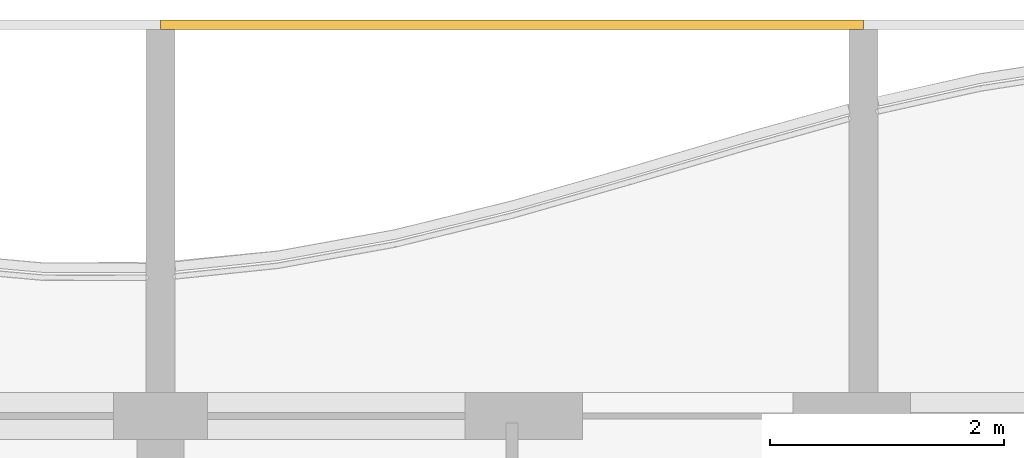
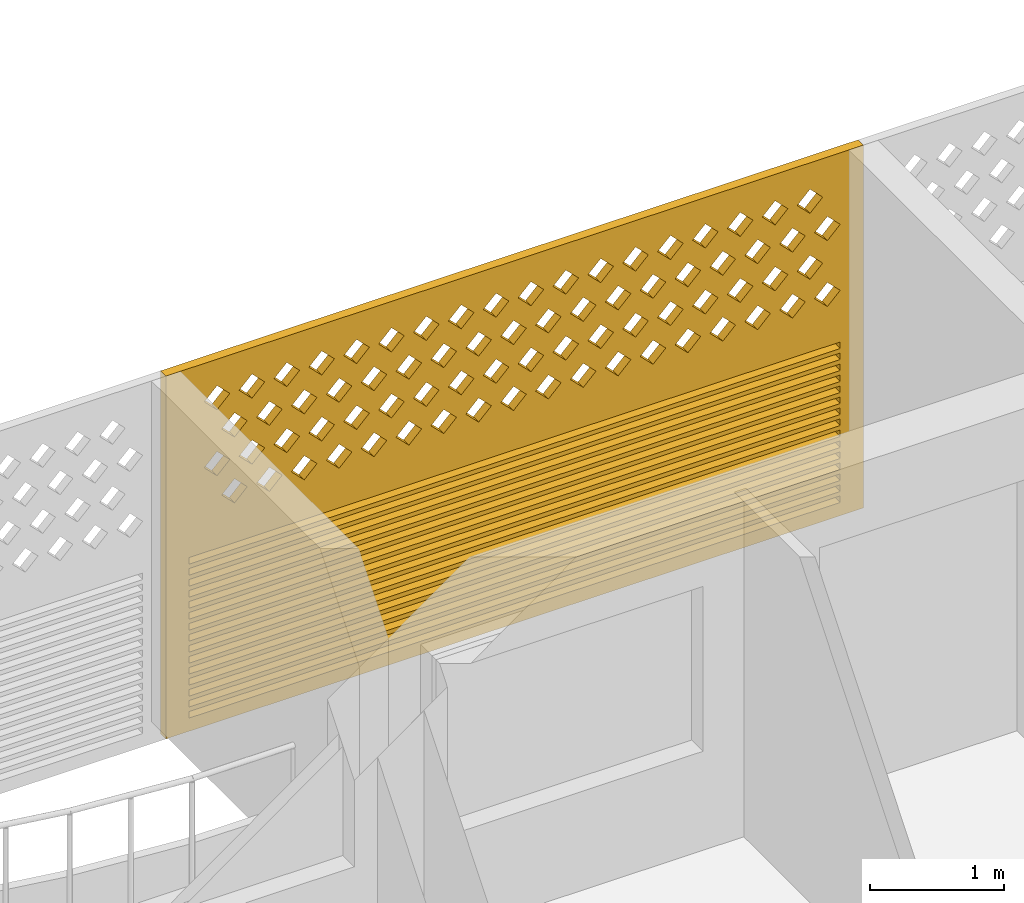
# One storey, part 36 of 40: 1 covering.
"""IFC4 building model written with IfcOpenShell, lengths in metres."""

from ifc_helpers import new_model, si_unit, direction, frame, origin, place, context, subcontext, project, spatial, polyline, outline, extrude, source, transform, mapped, material, material_profile, profile_set, type_object, element, save


model = new_model("IFC4")

# Units and contexts
model_context = context("Model", 3, precision=1e-05, world=origin(), true_north=direction((0.0, 1.0)))
body_context = subcontext(model_context, "Body", "Model", "MODEL_VIEW")
ifc_project = project(units=[si_unit("LENGTHUNIT", "METRE"), si_unit("AREAUNIT", "SQUARE_METRE"), si_unit("VOLUMEUNIT", "CUBIC_METRE"), si_unit("PLANEANGLEUNIT", "RADIAN"), si_unit("MASSUNIT", "GRAM", prefix="KILO")], contexts=[model_context])

# Site, building, storey
site_placement = place(None, origin())
site = spatial("IfcSite", under=ifc_project, at=site_placement, CompositionType="ELEMENT")
building_placement = place(site_placement, origin())
building = spatial("IfcBuilding", under=site, at=building_placement, Name="Poui Terraces", CompositionType="ELEMENT")
storey_placement = place(building_placement, frame((0.0, 0.0, 36.60009765625)))
storey = spatial("IfcBuildingStorey", under=building, at=storey_placement, Name="L09", CompositionType="ELEMENT", Elevation=36.60009765625)

# Covering
ifc_material = material(Name="Terracotta screen", Category="masonry")
ifc_material_profile = material_profile(ifc_material, outline(polyline([(-3.0, -1.64990234375), (3.0, -1.64990234375), (3.0, 1.64990234375), (-3.0, 1.64990234375), (-3.0, -1.64990234375)]), holes=[polyline([(-2.800048828125, 0.39990234375), (-2.68994140625, 0.2900390625), (-2.580078125, 0.39990234375), (-2.68994140625, 0.510009765625), (-2.800048828125, 0.39990234375)]), polyline([(-2.5, 0.39990234375), (-2.389892578125, 0.2900390625), (-2.280029296875, 0.39990234375), (-2.389892578125, 0.510009765625), (-2.5, 0.39990234375)]), polyline([(-2.199951171875, 0.39990234375), (-2.090087890625, 0.2900390625), (-1.97998046875, 0.39990234375), (-2.090087890625, 0.510009765625), (-2.199951171875, 0.39990234375)]), polyline([(-1.89990234375, 0.39990234375), (-1.7900390625, 0.2900390625), (-1.679931640625, 0.39990234375), (-1.7900390625, 0.510009765625), (-1.89990234375, 0.39990234375)]), polyline([(-1.60009765625, 0.39990234375), (-1.489990234375, 0.2900390625), (-1.3798828125, 0.39990234375), (-1.489990234375, 0.510009765625), (-1.60009765625, 0.39990234375)]), polyline([(-1.300048828125, 0.39990234375), (-1.18994140625, 0.2900390625), (-1.080078125, 0.39990234375), (-1.18994140625, 0.510009765625), (-1.300048828125, 0.39990234375)]), polyline([(-1.0, 0.39990234375), (-0.889892578125, 0.2900390625), (-0.780029296875, 0.39990234375), (-0.889892578125, 0.510009765625), (-1.0, 0.39990234375)]), polyline([(-0.699951171875, 0.39990234375), (-0.590087890625, 0.2900390625), (-0.47998046875, 0.39990234375), (-0.590087890625, 0.510009765625), (-0.699951171875, 0.39990234375)]), polyline([(-0.39990234375, 0.39990234375), (-0.2900390625, 0.2900390625), (-0.179931640625, 0.39990234375), (-0.2900390625, 0.510009765625), (-0.39990234375, 0.39990234375)]), polyline([(-0.10009765625, 0.39990234375), (0.010009765625, 0.2900390625), (0.1201171875, 0.39990234375), (0.010009765625, 0.510009765625), (-0.10009765625, 0.39990234375)]), polyline([(0.199951171875, 0.39990234375), (0.31005859375, 0.2900390625), (0.419921875, 0.39990234375), (0.31005859375, 0.510009765625), (0.199951171875, 0.39990234375)]), polyline([(0.5, 0.39990234375), (0.610107421875, 0.2900390625), (0.719970703125, 0.39990234375), (0.610107421875, 0.510009765625), (0.5, 0.39990234375)]), polyline([(0.800048828125, 0.39990234375), (0.909912109375, 0.2900390625), (1.02001953125, 0.39990234375), (0.909912109375, 0.510009765625), (0.800048828125, 0.39990234375)]), polyline([(1.10009765625, 0.39990234375), (1.2099609375, 0.2900390625), (1.320068359375, 0.39990234375), (1.2099609375, 0.510009765625), (1.10009765625, 0.39990234375)]), polyline([(1.39990234375, 0.39990234375), (1.510009765625, 0.2900390625), (1.6201171875, 0.39990234375), (1.510009765625, 0.510009765625), (1.39990234375, 0.39990234375)]), polyline([(1.699951171875, 0.39990234375), (1.81005859375, 0.2900390625), (1.919921875, 0.39990234375), (1.81005859375, 0.510009765625), (1.699951171875, 0.39990234375)]), polyline([(2.0, 0.39990234375), (2.110107421875, 0.2900390625), (2.219970703125, 0.39990234375), (2.110107421875, 0.510009765625), (2.0, 0.39990234375)]), polyline([(2.300048828125, 0.39990234375), (2.409912109375, 0.2900390625), (2.52001953125, 0.39990234375), (2.409912109375, 0.510009765625), (2.300048828125, 0.39990234375)]), polyline([(-2.64990234375, 0.699951171875), (-2.5400390625, 0.590087890625), (-2.429931640625, 0.699951171875), (-2.5400390625, 0.81005859375), (-2.64990234375, 0.699951171875)]), polyline([(-2.35009765625, 0.699951171875), (-2.239990234375, 0.590087890625), (-2.1298828125, 0.699951171875), (-2.239990234375, 0.81005859375), (-2.35009765625, 0.699951171875)]), polyline([(-2.050048828125, 0.699951171875), (-1.93994140625, 0.590087890625), (-1.830078125, 0.699951171875), (-1.93994140625, 0.81005859375), (-2.050048828125, 0.699951171875)]), polyline([(-1.75, 0.699951171875), (-1.639892578125, 0.590087890625), (-1.530029296875, 0.699951171875), (-1.639892578125, 0.81005859375), (-1.75, 0.699951171875)]), polyline([(-1.449951171875, 0.699951171875), (-1.340087890625, 0.590087890625), (-1.22998046875, 0.699951171875), (-1.340087890625, 0.81005859375), (-1.449951171875, 0.699951171875)]), polyline([(-1.14990234375, 0.699951171875), (-1.0400390625, 0.590087890625), (-0.929931640625, 0.699951171875), (-1.0400390625, 0.81005859375), (-1.14990234375, 0.699951171875)]), polyline([(-0.85009765625, 0.699951171875), (-0.739990234375, 0.590087890625), (-0.6298828125, 0.699951171875), (-0.739990234375, 0.81005859375), (-0.85009765625, 0.699951171875)]), polyline([(-0.550048828125, 0.699951171875), (-0.43994140625, 0.590087890625), (-0.330078125, 0.699951171875), (-0.43994140625, 0.81005859375), (-0.550048828125, 0.699951171875)]), polyline([(-0.25, 0.699951171875), (-0.139892578125, 0.590087890625), (-0.030029296875, 0.699951171875), (-0.139892578125, 0.81005859375), (-0.25, 0.699951171875)]), polyline([(0.050048828125, 0.699951171875), (0.159912109375, 0.590087890625), (0.27001953125, 0.699951171875), (0.159912109375, 0.81005859375), (0.050048828125, 0.699951171875)]), polyline([(0.35009765625, 0.699951171875), (0.4599609375, 0.590087890625), (0.570068359375, 0.699951171875), (0.4599609375, 0.81005859375), (0.35009765625, 0.699951171875)]), polyline([(0.64990234375, 0.699951171875), (0.760009765625, 0.590087890625), (0.8701171875, 0.699951171875), (0.760009765625, 0.81005859375), (0.64990234375, 0.699951171875)]), polyline([(0.949951171875, 0.699951171875), (1.06005859375, 0.590087890625), (1.169921875, 0.699951171875), (1.06005859375, 0.81005859375), (0.949951171875, 0.699951171875)]), polyline([(1.25, 0.699951171875), (1.360107421875, 0.590087890625), (1.469970703125, 0.699951171875), (1.360107421875, 0.81005859375), (1.25, 0.699951171875)]), polyline([(1.550048828125, 0.699951171875), (1.659912109375, 0.590087890625), (1.77001953125, 0.699951171875), (1.659912109375, 0.81005859375), (1.550048828125, 0.699951171875)]), polyline([(1.85009765625, 0.699951171875), (1.9599609375, 0.590087890625), (2.070068359375, 0.699951171875), (1.9599609375, 0.81005859375), (1.85009765625, 0.699951171875)]), polyline([(2.14990234375, 0.699951171875), (2.260009765625, 0.590087890625), (2.3701171875, 0.699951171875), (2.260009765625, 0.81005859375), (2.14990234375, 0.699951171875)]), polyline([(2.449951171875, 0.699951171875), (2.56005859375, 0.590087890625), (2.669921875, 0.699951171875), (2.56005859375, 0.81005859375), (2.449951171875, 0.699951171875)]), polyline([(-2.800048828125, 1.0), (-2.68994140625, 0.889892578125), (-2.580078125, 1.0), (-2.68994140625, 1.110107421875), (-2.800048828125, 1.0)]), polyline([(-2.5, 1.0), (-2.389892578125, 0.889892578125), (-2.280029296875, 1.0), (-2.389892578125, 1.110107421875), (-2.5, 1.0)]), polyline([(-2.199951171875, 1.0), (-2.090087890625, 0.889892578125), (-1.97998046875, 1.0), (-2.090087890625, 1.110107421875), (-2.199951171875, 1.0)]), polyline([(-1.89990234375, 1.0), (-1.7900390625, 0.889892578125), (-1.679931640625, 1.0), (-1.7900390625, 1.110107421875), (-1.89990234375, 1.0)]), polyline([(-1.60009765625, 1.0), (-1.489990234375, 0.889892578125), (-1.3798828125, 1.0), (-1.489990234375, 1.110107421875), (-1.60009765625, 1.0)]), polyline([(-1.300048828125, 1.0), (-1.18994140625, 0.889892578125), (-1.080078125, 1.0), (-1.18994140625, 1.110107421875), (-1.300048828125, 1.0)]), polyline([(-1.0, 1.0), (-0.889892578125, 0.889892578125), (-0.780029296875, 1.0), (-0.889892578125, 1.110107421875), (-1.0, 1.0)]), polyline([(-0.699951171875, 1.0), (-0.590087890625, 0.889892578125), (-0.47998046875, 1.0), (-0.590087890625, 1.110107421875), (-0.699951171875, 1.0)]), polyline([(-0.39990234375, 1.0), (-0.2900390625, 0.889892578125), (-0.179931640625, 1.0), (-0.2900390625, 1.110107421875), (-0.39990234375, 1.0)]), polyline([(-0.10009765625, 1.0), (0.010009765625, 0.889892578125), (0.1201171875, 1.0), (0.010009765625, 1.110107421875), (-0.10009765625, 1.0)]), polyline([(0.199951171875, 1.0), (0.31005859375, 0.889892578125), (0.419921875, 1.0), (0.31005859375, 1.110107421875), (0.199951171875, 1.0)]), polyline([(0.5, 1.0), (0.610107421875, 0.889892578125), (0.719970703125, 1.0), (0.610107421875, 1.110107421875), (0.5, 1.0)]), polyline([(0.800048828125, 1.0), (0.909912109375, 0.889892578125), (1.02001953125, 1.0), (0.909912109375, 1.110107421875), (0.800048828125, 1.0)]), polyline([(1.10009765625, 1.0), (1.2099609375, 0.889892578125), (1.320068359375, 1.0), (1.2099609375, 1.110107421875), (1.10009765625, 1.0)]), polyline([(1.39990234375, 1.0), (1.510009765625, 0.889892578125), (1.6201171875, 1.0), (1.510009765625, 1.110107421875), (1.39990234375, 1.0)]), polyline([(1.699951171875, 1.0), (1.81005859375, 0.889892578125), (1.919921875, 1.0), (1.81005859375, 1.110107421875), (1.699951171875, 1.0)]), polyline([(2.0, 1.0), (2.110107421875, 0.889892578125), (2.219970703125, 1.0), (2.110107421875, 1.110107421875), (2.0, 1.0)]), polyline([(2.300048828125, 1.0), (2.409912109375, 0.889892578125), (2.52001953125, 1.0), (2.409912109375, 1.110107421875), (2.300048828125, 1.0)]), polyline([(-2.64990234375, 1.300048828125), (-2.5400390625, 1.18994140625), (-2.429931640625, 1.300048828125), (-2.5400390625, 1.409912109375), (-2.64990234375, 1.300048828125)]), polyline([(-2.35009765625, 1.300048828125), (-2.239990234375, 1.18994140625), (-2.1298828125, 1.300048828125), (-2.239990234375, 1.409912109375), (-2.35009765625, 1.300048828125)]), polyline([(-2.050048828125, 1.300048828125), (-1.93994140625, 1.18994140625), (-1.830078125, 1.300048828125), (-1.93994140625, 1.409912109375), (-2.050048828125, 1.300048828125)]), polyline([(-1.75, 1.300048828125), (-1.639892578125, 1.18994140625), (-1.530029296875, 1.300048828125), (-1.639892578125, 1.409912109375), (-1.75, 1.300048828125)]), polyline([(-1.449951171875, 1.300048828125), (-1.340087890625, 1.18994140625), (-1.22998046875, 1.300048828125), (-1.340087890625, 1.409912109375), (-1.449951171875, 1.300048828125)]), polyline([(-1.14990234375, 1.300048828125), (-1.0400390625, 1.18994140625), (-0.929931640625, 1.300048828125), (-1.0400390625, 1.409912109375), (-1.14990234375, 1.300048828125)]), polyline([(-0.85009765625, 1.300048828125), (-0.739990234375, 1.18994140625), (-0.6298828125, 1.300048828125), (-0.739990234375, 1.409912109375), (-0.85009765625, 1.300048828125)]), polyline([(-0.550048828125, 1.300048828125), (-0.43994140625, 1.18994140625), (-0.330078125, 1.300048828125), (-0.43994140625, 1.409912109375), (-0.550048828125, 1.300048828125)]), polyline([(-0.25, 1.300048828125), (-0.139892578125, 1.18994140625), (-0.030029296875, 1.300048828125), (-0.139892578125, 1.409912109375), (-0.25, 1.300048828125)]), polyline([(0.050048828125, 1.300048828125), (0.159912109375, 1.18994140625), (0.27001953125, 1.300048828125), (0.159912109375, 1.409912109375), (0.050048828125, 1.300048828125)]), polyline([(0.35009765625, 1.300048828125), (0.4599609375, 1.18994140625), (0.570068359375, 1.300048828125), (0.4599609375, 1.409912109375), (0.35009765625, 1.300048828125)]), polyline([(0.64990234375, 1.300048828125), (0.760009765625, 1.18994140625), (0.8701171875, 1.300048828125), (0.760009765625, 1.409912109375), (0.64990234375, 1.300048828125)]), polyline([(0.949951171875, 1.300048828125), (1.06005859375, 1.18994140625), (1.169921875, 1.300048828125), (1.06005859375, 1.409912109375), (0.949951171875, 1.300048828125)]), polyline([(1.25, 1.300048828125), (1.360107421875, 1.18994140625), (1.469970703125, 1.300048828125), (1.360107421875, 1.409912109375), (1.25, 1.300048828125)]), polyline([(1.550048828125, 1.300048828125), (1.659912109375, 1.18994140625), (1.77001953125, 1.300048828125), (1.659912109375, 1.409912109375), (1.550048828125, 1.300048828125)]), polyline([(1.85009765625, 1.300048828125), (1.9599609375, 1.18994140625), (2.070068359375, 1.300048828125), (1.9599609375, 1.409912109375), (1.85009765625, 1.300048828125)]), polyline([(2.14990234375, 1.300048828125), (2.260009765625, 1.18994140625), (2.3701171875, 1.300048828125), (2.260009765625, 1.409912109375), (2.14990234375, 1.300048828125)]), polyline([(2.449951171875, 1.300048828125), (2.56005859375, 1.18994140625), (2.669921875, 1.300048828125), (2.56005859375, 1.409912109375), (2.449951171875, 1.300048828125)]), polyline([(-2.800048828125, -1.530029296875), (2.800048828125, -1.530029296875), (2.800048828125, -1.469970703125), (-2.800048828125, -1.469970703125), (-2.800048828125, -1.530029296875)]), polyline([(-2.800048828125, -1.429931640625), (2.800048828125, -1.429931640625), (2.800048828125, -1.3701171875), (-2.800048828125, -1.3701171875), (-2.800048828125, -1.429931640625)]), polyline([(-2.800048828125, -1.330078125), (2.800048828125, -1.330078125), (2.800048828125, -1.27001953125), (-2.800048828125, -1.27001953125), (-2.800048828125, -1.330078125)]), polyline([(-2.800048828125, -1.22998046875), (2.800048828125, -1.22998046875), (2.800048828125, -1.169921875), (-2.800048828125, -1.169921875), (-2.800048828125, -1.22998046875)]), polyline([(-2.800048828125, -1.1298828125), (2.800048828125, -1.1298828125), (2.800048828125, -1.070068359375), (-2.800048828125, -1.070068359375), (-2.800048828125, -1.1298828125)]), polyline([(-2.800048828125, -1.030029296875), (2.800048828125, -1.030029296875), (2.800048828125, -0.969970703125), (-2.800048828125, -0.969970703125), (-2.800048828125, -1.030029296875)]), polyline([(-2.800048828125, -0.929931640625), (2.800048828125, -0.929931640625), (2.800048828125, -0.8701171875), (-2.800048828125, -0.8701171875), (-2.800048828125, -0.929931640625)]), polyline([(-2.800048828125, -0.830078125), (2.800048828125, -0.830078125), (2.800048828125, -0.77001953125), (-2.800048828125, -0.77001953125), (-2.800048828125, -0.830078125)]), polyline([(-2.800048828125, -0.72998046875), (2.800048828125, -0.72998046875), (2.800048828125, -0.669921875), (-2.800048828125, -0.669921875), (-2.800048828125, -0.72998046875)]), polyline([(-2.800048828125, -0.6298828125), (2.800048828125, -0.6298828125), (2.800048828125, -0.570068359375), (-2.800048828125, -0.570068359375), (-2.800048828125, -0.6298828125)]), polyline([(-2.800048828125, -0.530029296875), (2.800048828125, -0.530029296875), (2.800048828125, -0.469970703125), (-2.800048828125, -0.469970703125), (-2.800048828125, -0.530029296875)]), polyline([(-2.800048828125, -0.429931640625), (2.800048828125, -0.429931640625), (2.800048828125, -0.3701171875), (-2.800048828125, -0.3701171875), (-2.800048828125, -0.429931640625)]), polyline([(-2.800048828125, -0.330078125), (2.800048828125, -0.330078125), (2.800048828125, -0.27001953125), (-2.800048828125, -0.27001953125), (-2.800048828125, -0.330078125)]), polyline([(-2.800048828125, -0.22998046875), (2.800048828125, -0.22998046875), (2.800048828125, -0.169921875), (-2.800048828125, -0.169921875), (-2.800048828125, -0.22998046875)]), polyline([(-2.800048828125, -0.1298828125), (2.800048828125, -0.1298828125), (2.800048828125, -0.070068359375), (-2.800048828125, -0.070068359375), (-2.800048828125, -0.1298828125)])]), Name="TERRACOTTA SCREEN AND JALOUSIE LOUVRE 6000X3300")
ifc_profile_set = profile_set([ifc_material_profile], Name="Terracotta screen")
covering_type = type_object("IfcCoveringType", Name="TERRACOTTA SCREEN AND JALOUSIE LOUVRE 6000X3300", PredefinedType="CLADDING", material=ifc_profile_set)
shared_shape = source(origin(), body_context, "Body", "SweptSolid", [
    extrude(outline(polyline([(-3.0, -1.64990234375), (3.0, -1.64990234375), (3.0, 1.64990234375), (-3.0, 1.64990234375), (-3.0, -1.64990234375)]), holes=[polyline([(-2.800048828125, 0.39990234375), (-2.68994140625, 0.2900390625), (-2.580078125, 0.39990234375), (-2.68994140625, 0.510009765625), (-2.800048828125, 0.39990234375)]), polyline([(-2.5, 0.39990234375), (-2.389892578125, 0.2900390625), (-2.280029296875, 0.39990234375), (-2.389892578125, 0.510009765625), (-2.5, 0.39990234375)]), polyline([(-2.199951171875, 0.39990234375), (-2.090087890625, 0.2900390625), (-1.97998046875, 0.39990234375), (-2.090087890625, 0.510009765625), (-2.199951171875, 0.39990234375)]), polyline([(-1.89990234375, 0.39990234375), (-1.7900390625, 0.2900390625), (-1.679931640625, 0.39990234375), (-1.7900390625, 0.510009765625), (-1.89990234375, 0.39990234375)]), polyline([(-1.60009765625, 0.39990234375), (-1.489990234375, 0.2900390625), (-1.3798828125, 0.39990234375), (-1.489990234375, 0.510009765625), (-1.60009765625, 0.39990234375)]), polyline([(-1.300048828125, 0.39990234375), (-1.18994140625, 0.2900390625), (-1.080078125, 0.39990234375), (-1.18994140625, 0.510009765625), (-1.300048828125, 0.39990234375)]), polyline([(-1.0, 0.39990234375), (-0.889892578125, 0.2900390625), (-0.780029296875, 0.39990234375), (-0.889892578125, 0.510009765625), (-1.0, 0.39990234375)]), polyline([(-0.699951171875, 0.39990234375), (-0.590087890625, 0.2900390625), (-0.47998046875, 0.39990234375), (-0.590087890625, 0.510009765625), (-0.699951171875, 0.39990234375)]), polyline([(-0.39990234375, 0.39990234375), (-0.2900390625, 0.2900390625), (-0.179931640625, 0.39990234375), (-0.2900390625, 0.510009765625), (-0.39990234375, 0.39990234375)]), polyline([(-0.10009765625, 0.39990234375), (0.010009765625, 0.2900390625), (0.1201171875, 0.39990234375), (0.010009765625, 0.510009765625), (-0.10009765625, 0.39990234375)]), polyline([(0.199951171875, 0.39990234375), (0.31005859375, 0.2900390625), (0.419921875, 0.39990234375), (0.31005859375, 0.510009765625), (0.199951171875, 0.39990234375)]), polyline([(0.5, 0.39990234375), (0.610107421875, 0.2900390625), (0.719970703125, 0.39990234375), (0.610107421875, 0.510009765625), (0.5, 0.39990234375)]), polyline([(0.800048828125, 0.39990234375), (0.909912109375, 0.2900390625), (1.02001953125, 0.39990234375), (0.909912109375, 0.510009765625), (0.800048828125, 0.39990234375)]), polyline([(1.10009765625, 0.39990234375), (1.2099609375, 0.2900390625), (1.320068359375, 0.39990234375), (1.2099609375, 0.510009765625), (1.10009765625, 0.39990234375)]), polyline([(1.39990234375, 0.39990234375), (1.510009765625, 0.2900390625), (1.6201171875, 0.39990234375), (1.510009765625, 0.510009765625), (1.39990234375, 0.39990234375)]), polyline([(1.699951171875, 0.39990234375), (1.81005859375, 0.2900390625), (1.919921875, 0.39990234375), (1.81005859375, 0.510009765625), (1.699951171875, 0.39990234375)]), polyline([(2.0, 0.39990234375), (2.110107421875, 0.2900390625), (2.219970703125, 0.39990234375), (2.110107421875, 0.510009765625), (2.0, 0.39990234375)]), polyline([(2.300048828125, 0.39990234375), (2.409912109375, 0.2900390625), (2.52001953125, 0.39990234375), (2.409912109375, 0.510009765625), (2.300048828125, 0.39990234375)]), polyline([(-2.64990234375, 0.699951171875), (-2.5400390625, 0.590087890625), (-2.429931640625, 0.699951171875), (-2.5400390625, 0.81005859375), (-2.64990234375, 0.699951171875)]), polyline([(-2.35009765625, 0.699951171875), (-2.239990234375, 0.590087890625), (-2.1298828125, 0.699951171875), (-2.239990234375, 0.81005859375), (-2.35009765625, 0.699951171875)]), polyline([(-2.050048828125, 0.699951171875), (-1.93994140625, 0.590087890625), (-1.830078125, 0.699951171875), (-1.93994140625, 0.81005859375), (-2.050048828125, 0.699951171875)]), polyline([(-1.75, 0.699951171875), (-1.639892578125, 0.590087890625), (-1.530029296875, 0.699951171875), (-1.639892578125, 0.81005859375), (-1.75, 0.699951171875)]), polyline([(-1.449951171875, 0.699951171875), (-1.340087890625, 0.590087890625), (-1.22998046875, 0.699951171875), (-1.340087890625, 0.81005859375), (-1.449951171875, 0.699951171875)]), polyline([(-1.14990234375, 0.699951171875), (-1.0400390625, 0.590087890625), (-0.929931640625, 0.699951171875), (-1.0400390625, 0.81005859375), (-1.14990234375, 0.699951171875)]), polyline([(-0.85009765625, 0.699951171875), (-0.739990234375, 0.590087890625), (-0.6298828125, 0.699951171875), (-0.739990234375, 0.81005859375), (-0.85009765625, 0.699951171875)]), polyline([(-0.550048828125, 0.699951171875), (-0.43994140625, 0.590087890625), (-0.330078125, 0.699951171875), (-0.43994140625, 0.81005859375), (-0.550048828125, 0.699951171875)]), polyline([(-0.25, 0.699951171875), (-0.139892578125, 0.590087890625), (-0.030029296875, 0.699951171875), (-0.139892578125, 0.81005859375), (-0.25, 0.699951171875)]), polyline([(0.050048828125, 0.699951171875), (0.159912109375, 0.590087890625), (0.27001953125, 0.699951171875), (0.159912109375, 0.81005859375), (0.050048828125, 0.699951171875)]), polyline([(0.35009765625, 0.699951171875), (0.4599609375, 0.590087890625), (0.570068359375, 0.699951171875), (0.4599609375, 0.81005859375), (0.35009765625, 0.699951171875)]), polyline([(0.64990234375, 0.699951171875), (0.760009765625, 0.590087890625), (0.8701171875, 0.699951171875), (0.760009765625, 0.81005859375), (0.64990234375, 0.699951171875)]), polyline([(0.949951171875, 0.699951171875), (1.06005859375, 0.590087890625), (1.169921875, 0.699951171875), (1.06005859375, 0.81005859375), (0.949951171875, 0.699951171875)]), polyline([(1.25, 0.699951171875), (1.360107421875, 0.590087890625), (1.469970703125, 0.699951171875), (1.360107421875, 0.81005859375), (1.25, 0.699951171875)]), polyline([(1.550048828125, 0.699951171875), (1.659912109375, 0.590087890625), (1.77001953125, 0.699951171875), (1.659912109375, 0.81005859375), (1.550048828125, 0.699951171875)]), polyline([(1.85009765625, 0.699951171875), (1.9599609375, 0.590087890625), (2.070068359375, 0.699951171875), (1.9599609375, 0.81005859375), (1.85009765625, 0.699951171875)]), polyline([(2.14990234375, 0.699951171875), (2.260009765625, 0.590087890625), (2.3701171875, 0.699951171875), (2.260009765625, 0.81005859375), (2.14990234375, 0.699951171875)]), polyline([(2.449951171875, 0.699951171875), (2.56005859375, 0.590087890625), (2.669921875, 0.699951171875), (2.56005859375, 0.81005859375), (2.449951171875, 0.699951171875)]), polyline([(-2.800048828125, 1.0), (-2.68994140625, 0.889892578125), (-2.580078125, 1.0), (-2.68994140625, 1.110107421875), (-2.800048828125, 1.0)]), polyline([(-2.5, 1.0), (-2.389892578125, 0.889892578125), (-2.280029296875, 1.0), (-2.389892578125, 1.110107421875), (-2.5, 1.0)]), polyline([(-2.199951171875, 1.0), (-2.090087890625, 0.889892578125), (-1.97998046875, 1.0), (-2.090087890625, 1.110107421875), (-2.199951171875, 1.0)]), polyline([(-1.89990234375, 1.0), (-1.7900390625, 0.889892578125), (-1.679931640625, 1.0), (-1.7900390625, 1.110107421875), (-1.89990234375, 1.0)]), polyline([(-1.60009765625, 1.0), (-1.489990234375, 0.889892578125), (-1.3798828125, 1.0), (-1.489990234375, 1.110107421875), (-1.60009765625, 1.0)]), polyline([(-1.300048828125, 1.0), (-1.18994140625, 0.889892578125), (-1.080078125, 1.0), (-1.18994140625, 1.110107421875), (-1.300048828125, 1.0)]), polyline([(-1.0, 1.0), (-0.889892578125, 0.889892578125), (-0.780029296875, 1.0), (-0.889892578125, 1.110107421875), (-1.0, 1.0)]), polyline([(-0.699951171875, 1.0), (-0.590087890625, 0.889892578125), (-0.47998046875, 1.0), (-0.590087890625, 1.110107421875), (-0.699951171875, 1.0)]), polyline([(-0.39990234375, 1.0), (-0.2900390625, 0.889892578125), (-0.179931640625, 1.0), (-0.2900390625, 1.110107421875), (-0.39990234375, 1.0)]), polyline([(-0.10009765625, 1.0), (0.010009765625, 0.889892578125), (0.1201171875, 1.0), (0.010009765625, 1.110107421875), (-0.10009765625, 1.0)]), polyline([(0.199951171875, 1.0), (0.31005859375, 0.889892578125), (0.419921875, 1.0), (0.31005859375, 1.110107421875), (0.199951171875, 1.0)]), polyline([(0.5, 1.0), (0.610107421875, 0.889892578125), (0.719970703125, 1.0), (0.610107421875, 1.110107421875), (0.5, 1.0)]), polyline([(0.800048828125, 1.0), (0.909912109375, 0.889892578125), (1.02001953125, 1.0), (0.909912109375, 1.110107421875), (0.800048828125, 1.0)]), polyline([(1.10009765625, 1.0), (1.2099609375, 0.889892578125), (1.320068359375, 1.0), (1.2099609375, 1.110107421875), (1.10009765625, 1.0)]), polyline([(1.39990234375, 1.0), (1.510009765625, 0.889892578125), (1.6201171875, 1.0), (1.510009765625, 1.110107421875), (1.39990234375, 1.0)]), polyline([(1.699951171875, 1.0), (1.81005859375, 0.889892578125), (1.919921875, 1.0), (1.81005859375, 1.110107421875), (1.699951171875, 1.0)]), polyline([(2.0, 1.0), (2.110107421875, 0.889892578125), (2.219970703125, 1.0), (2.110107421875, 1.110107421875), (2.0, 1.0)]), polyline([(2.300048828125, 1.0), (2.409912109375, 0.889892578125), (2.52001953125, 1.0), (2.409912109375, 1.110107421875), (2.300048828125, 1.0)]), polyline([(-2.64990234375, 1.300048828125), (-2.5400390625, 1.18994140625), (-2.429931640625, 1.300048828125), (-2.5400390625, 1.409912109375), (-2.64990234375, 1.300048828125)]), polyline([(-2.35009765625, 1.300048828125), (-2.239990234375, 1.18994140625), (-2.1298828125, 1.300048828125), (-2.239990234375, 1.409912109375), (-2.35009765625, 1.300048828125)]), polyline([(-2.050048828125, 1.300048828125), (-1.93994140625, 1.18994140625), (-1.830078125, 1.300048828125), (-1.93994140625, 1.409912109375), (-2.050048828125, 1.300048828125)]), polyline([(-1.75, 1.300048828125), (-1.639892578125, 1.18994140625), (-1.530029296875, 1.300048828125), (-1.639892578125, 1.409912109375), (-1.75, 1.300048828125)]), polyline([(-1.449951171875, 1.300048828125), (-1.340087890625, 1.18994140625), (-1.22998046875, 1.300048828125), (-1.340087890625, 1.409912109375), (-1.449951171875, 1.300048828125)]), polyline([(-1.14990234375, 1.300048828125), (-1.0400390625, 1.18994140625), (-0.929931640625, 1.300048828125), (-1.0400390625, 1.409912109375), (-1.14990234375, 1.300048828125)]), polyline([(-0.85009765625, 1.300048828125), (-0.739990234375, 1.18994140625), (-0.6298828125, 1.300048828125), (-0.739990234375, 1.409912109375), (-0.85009765625, 1.300048828125)]), polyline([(-0.550048828125, 1.300048828125), (-0.43994140625, 1.18994140625), (-0.330078125, 1.300048828125), (-0.43994140625, 1.409912109375), (-0.550048828125, 1.300048828125)]), polyline([(-0.25, 1.300048828125), (-0.139892578125, 1.18994140625), (-0.030029296875, 1.300048828125), (-0.139892578125, 1.409912109375), (-0.25, 1.300048828125)]), polyline([(0.050048828125, 1.300048828125), (0.159912109375, 1.18994140625), (0.27001953125, 1.300048828125), (0.159912109375, 1.409912109375), (0.050048828125, 1.300048828125)]), polyline([(0.35009765625, 1.300048828125), (0.4599609375, 1.18994140625), (0.570068359375, 1.300048828125), (0.4599609375, 1.409912109375), (0.35009765625, 1.300048828125)]), polyline([(0.64990234375, 1.300048828125), (0.760009765625, 1.18994140625), (0.8701171875, 1.300048828125), (0.760009765625, 1.409912109375), (0.64990234375, 1.300048828125)]), polyline([(0.949951171875, 1.300048828125), (1.06005859375, 1.18994140625), (1.169921875, 1.300048828125), (1.06005859375, 1.409912109375), (0.949951171875, 1.300048828125)]), polyline([(1.25, 1.300048828125), (1.360107421875, 1.18994140625), (1.469970703125, 1.300048828125), (1.360107421875, 1.409912109375), (1.25, 1.300048828125)]), polyline([(1.550048828125, 1.300048828125), (1.659912109375, 1.18994140625), (1.77001953125, 1.300048828125), (1.659912109375, 1.409912109375), (1.550048828125, 1.300048828125)]), polyline([(1.85009765625, 1.300048828125), (1.9599609375, 1.18994140625), (2.070068359375, 1.300048828125), (1.9599609375, 1.409912109375), (1.85009765625, 1.300048828125)]), polyline([(2.14990234375, 1.300048828125), (2.260009765625, 1.18994140625), (2.3701171875, 1.300048828125), (2.260009765625, 1.409912109375), (2.14990234375, 1.300048828125)]), polyline([(2.449951171875, 1.300048828125), (2.56005859375, 1.18994140625), (2.669921875, 1.300048828125), (2.56005859375, 1.409912109375), (2.449951171875, 1.300048828125)]), polyline([(-2.800048828125, -1.530029296875), (2.800048828125, -1.530029296875), (2.800048828125, -1.469970703125), (-2.800048828125, -1.469970703125), (-2.800048828125, -1.530029296875)]), polyline([(-2.800048828125, -1.429931640625), (2.800048828125, -1.429931640625), (2.800048828125, -1.3701171875), (-2.800048828125, -1.3701171875), (-2.800048828125, -1.429931640625)]), polyline([(-2.800048828125, -1.330078125), (2.800048828125, -1.330078125), (2.800048828125, -1.27001953125), (-2.800048828125, -1.27001953125), (-2.800048828125, -1.330078125)]), polyline([(-2.800048828125, -1.22998046875), (2.800048828125, -1.22998046875), (2.800048828125, -1.169921875), (-2.800048828125, -1.169921875), (-2.800048828125, -1.22998046875)]), polyline([(-2.800048828125, -1.1298828125), (2.800048828125, -1.1298828125), (2.800048828125, -1.070068359375), (-2.800048828125, -1.070068359375), (-2.800048828125, -1.1298828125)]), polyline([(-2.800048828125, -1.030029296875), (2.800048828125, -1.030029296875), (2.800048828125, -0.969970703125), (-2.800048828125, -0.969970703125), (-2.800048828125, -1.030029296875)]), polyline([(-2.800048828125, -0.929931640625), (2.800048828125, -0.929931640625), (2.800048828125, -0.8701171875), (-2.800048828125, -0.8701171875), (-2.800048828125, -0.929931640625)]), polyline([(-2.800048828125, -0.830078125), (2.800048828125, -0.830078125), (2.800048828125, -0.77001953125), (-2.800048828125, -0.77001953125), (-2.800048828125, -0.830078125)]), polyline([(-2.800048828125, -0.72998046875), (2.800048828125, -0.72998046875), (2.800048828125, -0.669921875), (-2.800048828125, -0.669921875), (-2.800048828125, -0.72998046875)]), polyline([(-2.800048828125, -0.6298828125), (2.800048828125, -0.6298828125), (2.800048828125, -0.570068359375), (-2.800048828125, -0.570068359375), (-2.800048828125, -0.6298828125)]), polyline([(-2.800048828125, -0.530029296875), (2.800048828125, -0.530029296875), (2.800048828125, -0.469970703125), (-2.800048828125, -0.469970703125), (-2.800048828125, -0.530029296875)]), polyline([(-2.800048828125, -0.429931640625), (2.800048828125, -0.429931640625), (2.800048828125, -0.3701171875), (-2.800048828125, -0.3701171875), (-2.800048828125, -0.429931640625)]), polyline([(-2.800048828125, -0.330078125), (2.800048828125, -0.330078125), (2.800048828125, -0.27001953125), (-2.800048828125, -0.27001953125), (-2.800048828125, -0.330078125)]), polyline([(-2.800048828125, -0.22998046875), (2.800048828125, -0.22998046875), (2.800048828125, -0.169921875), (-2.800048828125, -0.169921875), (-2.800048828125, -0.22998046875)]), polyline([(-2.800048828125, -0.1298828125), (2.800048828125, -0.1298828125), (2.800048828125, -0.070068359375), (-2.800048828125, -0.070068359375), (-2.800048828125, -0.1298828125)])]), origin(), (0.0, 0.0, 1.0), 0.079833984375),
])
covering_placement = place(storey_placement, frame((81.0, 48.10009765625, 1.449951171875), z_axis=(0.0, 1.0, 0.0), x_axis=(-1.0, 0.0, 0.0)))
element("IfcCovering", 1, at=covering_placement, inside=storey, type_object=covering_type, Name="SOLAR SCREEN AND JALOUSIE LOUVRE", PredefinedType="CLADDING", context=body_context, shape_type="MappedRepresentation", body=[
    mapped(shared_shape, transform((0.0, 0.0, 0.0))),
])

save(model, "model.ifc")
